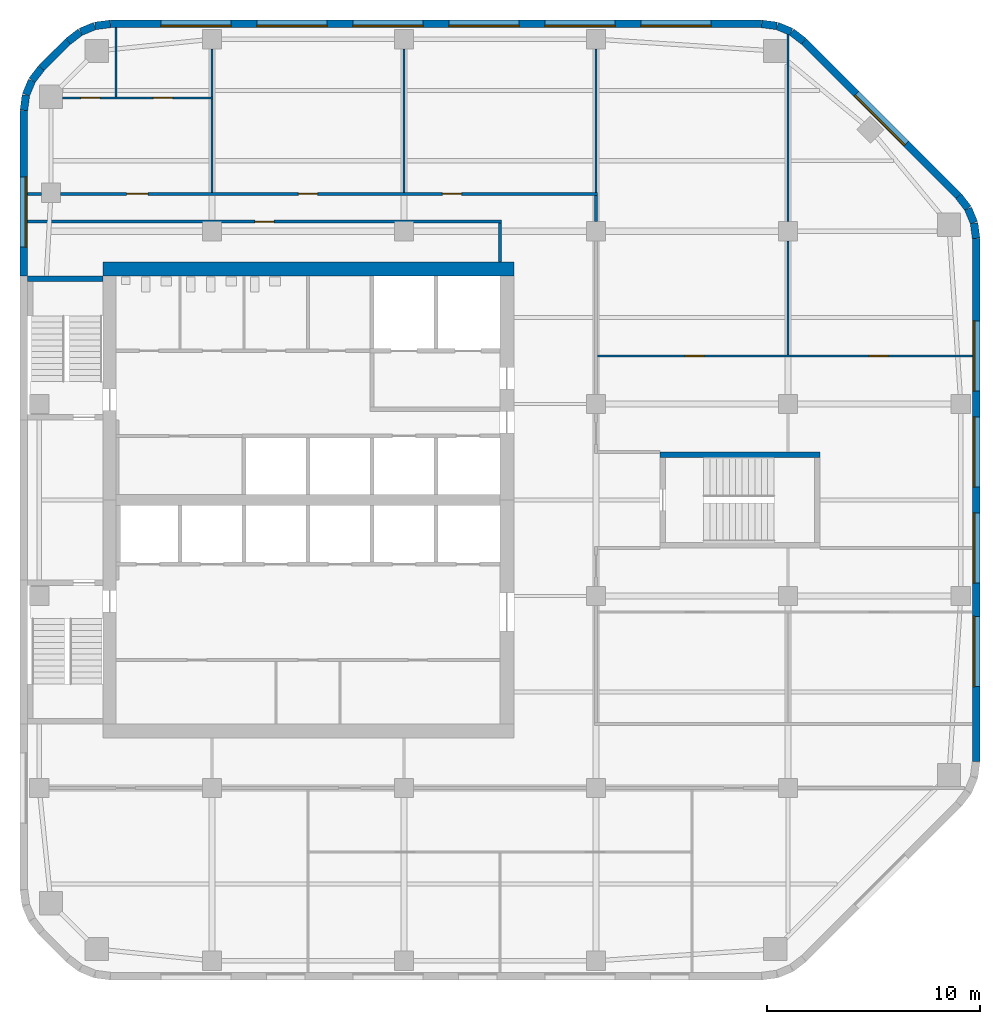
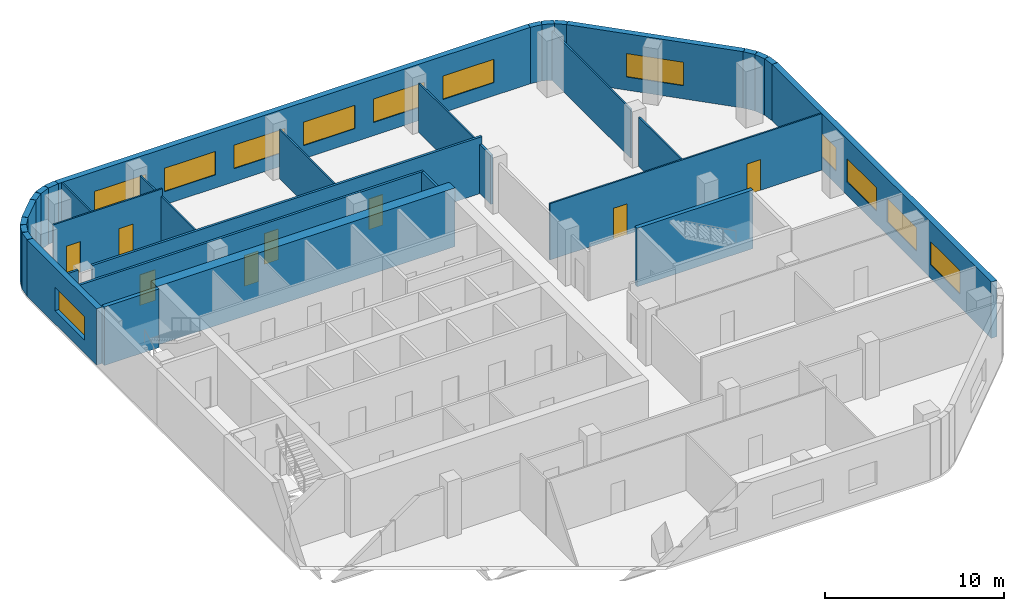
# One storey, part 5 of 8: 34 walls, 12 windows, 8 doors, 20 openings.
"""IFC4 building model written with IfcOpenShell, lengths in metres."""

from ifc_helpers import new_model, si_unit, direction, frame, frame_2d, origin, place, context, subcontext, project, spatial, rectangle, extrude, material, layer, layer_set, type_object, element, fill, save


model = new_model("IFC4")

# Units and contexts
model_context = context("Model", 3, precision=1e-05, world=origin(), true_north=direction((0.0, 1.0)))
body_context = subcontext(model_context, "Body", "Model", "MODEL_VIEW")
ifc_project = project(units=[si_unit("LENGTHUNIT", "METRE"), si_unit("AREAUNIT", "SQUARE_METRE"), si_unit("VOLUMEUNIT", "CUBIC_METRE"), si_unit("PLANEANGLEUNIT", "RADIAN"), si_unit("MASSUNIT", "GRAM", prefix="KILO")], contexts=[model_context])

# Site, building, storey
site_placement = place(None, origin())
site = spatial("IfcSite", under=ifc_project, at=site_placement, CompositionType="ELEMENT")
building_placement = place(site_placement, origin())
building = spatial("IfcBuilding", under=site, at=building_placement, Name="Cinnabar Reach Civic Tower", CompositionType="ELEMENT")
storey_placement = place(building_placement, frame((0.0, 0.0, 161.0)))
storey = spatial("IfcBuildingStorey", under=building, at=storey_placement, Name="L38", CompositionType="ELEMENT", Elevation=161.0)

# Walls
ifc_material_1 = material(Name="Facing brick with insulated backing", Category="masonry")
ifc_layer_1 = layer(ifc_material_1, 0.36)
ifc_layer_set_1 = layer_set([ifc_layer_1], Name="Brick corner wall")
wall_type_1 = type_object("IfcWallType", Name="Brick corner wall", PredefinedType="STANDARD", material=ifc_layer_set_1)
for number, where, z_axis, x_axis, name in (
    (1, (44.817, 43.7686, 0.0), (0.0, 0.0, 1.0), (-0.13055608231, 0.99144092581, 0.0), "Brick corner wall"),
    (2, (44.7181, 44.4973, 0.0), (0.0, 0.0, 1.0), (-0.382702709855, 0.923871547278, 0.0), "Brick corner wall"),
):
    element("IfcWall", number, at=place(storey_placement, frame(where, z_axis=z_axis, x_axis=x_axis)), inside=storey, type_object=wall_type_1, Name=name, PredefinedType="STANDARD", context=body_context, shape_type="SweptSolid", body=[
        extrude(rectangle(XDim=0.7131, YDim=0.36, at=frame_2d((0.3565, 0.0))), origin(), (0.0, 0.0, 1.0), 3.85),
    ])
for number, where, z_axis, x_axis, name in (
    (3, (44.434, 45.1755, 0.0), (0.0, 0.0, 1.0), (-0.608802368033, 0.793321924995, 0.0), "Brick corner wall"),
    (4, (36.7413, 52.9998, 0.0), (0.0, 0.0, 1.0), (-0.793321924995, 0.608802368033, 0.0), "Brick corner wall"),
):
    element("IfcWall", number, at=place(storey_placement, frame(where, z_axis=z_axis, x_axis=x_axis)), inside=storey, type_object=wall_type_1, Name=name, PredefinedType="STANDARD", context=body_context, shape_type="SweptSolid", body=[
        extrude(rectangle(XDim=0.7132, YDim=0.36, at=frame_2d((0.3566, 0.0))), origin(), (0.0, 0.0, 1.0), 3.85),
    ])
for number, where, z_axis, x_axis, name in (
    (5, (36.1561, 53.4452, 0.0), (0.0, 0.0, 1.0), (-0.923871547278, 0.382702709855, 0.0), "Brick corner wall"),
    (6, (35.4756, 53.7239, 0.0), (0.0, 0.0, 1.0), (-0.99144092581, 0.13055608231, 0.0), "Brick corner wall"),
    (7, (4.2314, 53.817, 0.0), (0.0, 0.0, 1.0), (-0.99144092581, -0.13055608231, 0.0), "Brick corner wall"),
    (8, (3.5027, 53.7181, 0.0), (0.0, 0.0, 1.0), (-0.923871547278, -0.382702709855, 0.0), "Brick corner wall"),
):
    element("IfcWall", number, at=place(storey_placement, frame(where, z_axis=z_axis, x_axis=x_axis)), inside=storey, type_object=wall_type_1, Name=name, PredefinedType="STANDARD", context=body_context, shape_type="SweptSolid", body=[
        extrude(rectangle(XDim=0.7131, YDim=0.36, at=frame_2d((0.3565, 0.0))), origin(), (0.0, 0.0, 1.0), 3.85),
    ])
for number, where, z_axis, x_axis, name in (
    (9, (2.8245, 53.434, 0.0), (0.0, 0.0, 1.0), (-0.793321924995, -0.608802368033, 0.0), "Brick corner wall"),
    (10, (1.0002, 51.7413, 0.0), (0.0, 0.0, 1.0), (-0.608802368033, -0.793321924995, 0.0), "Brick corner wall"),
):
    element("IfcWall", number, at=place(storey_placement, frame(where, z_axis=z_axis, x_axis=x_axis)), inside=storey, type_object=wall_type_1, Name=name, PredefinedType="STANDARD", context=body_context, shape_type="SweptSolid", body=[
        extrude(rectangle(XDim=0.7132, YDim=0.36, at=frame_2d((0.3566, 0.0))), origin(), (0.0, 0.0, 1.0), 3.85),
    ])
for number, where, z_axis, x_axis, name in (
    (11, (0.5548, 51.1561, 0.0), (0.0, 0.0, 1.0), (-0.382702709855, -0.923871547278, 0.0), "Brick corner wall"),
    (12, (0.2761, 50.4756, 0.0), (0.0, 0.0, 1.0), (-0.13055608231, -0.99144092581, 0.0), "Brick corner wall"),
):
    element("IfcWall", number, at=place(storey_placement, frame(where, z_axis=z_axis, x_axis=x_axis)), inside=storey, type_object=wall_type_1, Name=name, PredefinedType="STANDARD", context=body_context, shape_type="SweptSolid", body=[
        extrude(rectangle(XDim=0.7131, YDim=0.36, at=frame_2d((0.3565, 0.0))), origin(), (0.0, 0.0, 1.0), 3.85),
    ])

# Wall, openings, windows
ifc_layer_2 = layer(ifc_material_1, 0.36)
ifc_layer_set_2 = layer_set([ifc_layer_2], Name="Brick pier and spandrel wall")
wall_type_2 = type_object("IfcWallType", Name="Brick pier and spandrel wall", PredefinedType="STANDARD", material=ifc_layer_set_2)
wall_1_placement = place(storey_placement, frame((44.82, 19.2426, 0.0), z_axis=(0.0, 0.0, 1.0), x_axis=(0.0, 1.0, 0.0)))
wall_1 = element("IfcWall", 13, at=wall_1_placement, inside=storey, type_object=wall_type_2, Name="Brick facade wall", PredefinedType="STANDARD", context=body_context, shape_type="SweptSolid", body=[
    extrude(rectangle(XDim=24.5148, YDim=0.36, at=frame_2d((12.2574, 0.0))), origin(), (0.0, 0.0, 1.0), 3.85),
])
opening_1_placement = place(wall_1_placement, frame((3.5074, 0.0, 0.9)))
opening_1 = element("IfcOpeningElement", 14, at=opening_1_placement, cuts=wall_1, Name="Opening W1788", PredefinedType="OPENING", context=body_context, shape_type="SweptSolid", body=[
    extrude(rectangle(XDim=3.3, YDim=1.6, at=frame_2d((1.65, 0.8))), frame((0.0, 0.19, 0.0), z_axis=(0.0, -1.0, 0.0), x_axis=(1.0, 0.0, 0.0)), (0.0, 0.0, 1.0), 0.38),
])
opening_2_placement = place(wall_1_placement, frame((8.3574, 0.0, 0.9)))
opening_2 = element("IfcOpeningElement", 15, at=opening_2_placement, cuts=wall_1, Name="Opening W1789", PredefinedType="OPENING", context=body_context, shape_type="SweptSolid", body=[
    extrude(rectangle(XDim=3.3, YDim=1.6, at=frame_2d((1.65, 0.8))), frame((0.0, 0.19, 0.0), z_axis=(0.0, -1.0, 0.0), x_axis=(1.0, 0.0, 0.0)), (0.0, 0.0, 1.0), 0.38),
])
opening_3_placement = place(wall_1_placement, frame((12.8574, 0.0, 0.9)))
opening_3 = element("IfcOpeningElement", 16, at=opening_3_placement, cuts=wall_1, Name="Opening W1790", PredefinedType="OPENING", context=body_context, shape_type="SweptSolid", body=[
    extrude(rectangle(XDim=3.3, YDim=1.6, at=frame_2d((1.65, 0.8))), frame((0.0, 0.19, 0.0), z_axis=(0.0, -1.0, 0.0), x_axis=(1.0, 0.0, 0.0)), (0.0, 0.0, 1.0), 0.38),
])
opening_4_placement = place(wall_1_placement, frame((17.3574, 0.0, 0.9)))
opening_4 = element("IfcOpeningElement", 17, at=opening_4_placement, cuts=wall_1, Name="Opening W1791", PredefinedType="OPENING", context=body_context, shape_type="SweptSolid", body=[
    extrude(rectangle(XDim=3.3, YDim=1.6, at=frame_2d((1.65, 0.8))), frame((0.0, 0.19, 0.0), z_axis=(0.0, -1.0, 0.0), x_axis=(1.0, 0.0, 0.0)), (0.0, 0.0, 1.0), 0.38),
])
ifc_material_2 = material(Name="Clear double glazing in aluminium frame", Category="aluminium")
window_type = type_object("IfcWindowType", Name="Deep-set window A", PartitioningType="SINGLE_PANEL", PredefinedType="WINDOW", material=ifc_material_2)
window_1_placement = place(opening_1_placement, origin())
window_1 = element("IfcWindow", 18, at=window_1_placement, inside=storey, type_object=window_type, Name="Window east face", OverallHeight=1.6, OverallWidth=3.3, PartitioningType="SINGLE_PANEL", PredefinedType="WINDOW", context=body_context, shape_type="SweptSolid", body=[
    extrude(rectangle(XDim=3.3, YDim=1.6, at=frame_2d((1.65, 0.8))), frame((0.0, 0.13, 0.0), z_axis=(0.0, -1.0, 0.0), x_axis=(1.0, 0.0, 0.0)), (0.0, 0.0, 1.0), 0.06),
])
fill(opening_1, window_1)
window_2_placement = place(opening_2_placement, origin())
window_2 = element("IfcWindow", 19, at=window_2_placement, inside=storey, type_object=window_type, Name="Window east face", OverallHeight=1.6, OverallWidth=3.3, PartitioningType="SINGLE_PANEL", PredefinedType="WINDOW", context=body_context, shape_type="SweptSolid", body=[
    extrude(rectangle(XDim=3.3, YDim=1.6, at=frame_2d((1.65, 0.8))), frame((0.0, 0.13, 0.0), z_axis=(0.0, -1.0, 0.0), x_axis=(1.0, 0.0, 0.0)), (0.0, 0.0, 1.0), 0.06),
])
fill(opening_2, window_2)
window_3_placement = place(opening_3_placement, origin())
window_3 = element("IfcWindow", 20, at=window_3_placement, inside=storey, type_object=window_type, Name="Window east face", OverallHeight=1.6, OverallWidth=3.3, PartitioningType="SINGLE_PANEL", PredefinedType="WINDOW", context=body_context, shape_type="SweptSolid", body=[
    extrude(rectangle(XDim=3.3, YDim=1.6, at=frame_2d((1.65, 0.8))), frame((0.0, 0.13, 0.0), z_axis=(0.0, -1.0, 0.0), x_axis=(1.0, 0.0, 0.0)), (0.0, 0.0, 1.0), 0.06),
])
fill(opening_3, window_3)
window_4_placement = place(opening_4_placement, origin())
window_4 = element("IfcWindow", 21, at=window_4_placement, inside=storey, type_object=window_type, Name="Window east face", OverallHeight=1.6, OverallWidth=3.3, PartitioningType="SINGLE_PANEL", PredefinedType="WINDOW", context=body_context, shape_type="SweptSolid", body=[
    extrude(rectangle(XDim=3.3, YDim=1.6, at=frame_2d((1.65, 0.8))), frame((0.0, 0.13, 0.0), z_axis=(0.0, -1.0, 0.0), x_axis=(1.0, 0.0, 0.0)), (0.0, 0.0, 1.0), 0.06),
])
fill(opening_4, window_4)

# Wall, opening, window
wall_2_placement = place(storey_placement, frame((43.994, 45.7514, 0.0), z_axis=(0.0, 0.0, 1.0), x_axis=(-0.707106781187, 0.707106781187, 0.0)))
wall_2 = element("IfcWall", 22, at=wall_2_placement, inside=storey, type_object=wall_type_2, Name="Brick facade wall", PredefinedType="STANDARD", context=body_context, shape_type="SweptSolid", body=[
    extrude(rectangle(XDim=10.2426, YDim=0.36, at=frame_2d((5.1213, 0.0))), origin(), (0.0, 0.0, 1.0), 3.85),
])
opening_5_placement = place(wall_2_placement, frame((3.4713, 0.0, 0.9)))
opening_5 = element("IfcOpeningElement", 23, at=opening_5_placement, cuts=wall_2, Name="Opening W1792", PredefinedType="OPENING", context=body_context, shape_type="SweptSolid", body=[
    extrude(rectangle(XDim=3.3, YDim=1.6, at=frame_2d((1.65, 0.8))), frame((0.0, 0.19, 0.0), z_axis=(0.0, -1.0, 0.0), x_axis=(1.0, 0.0, 0.0)), (0.0, 0.0, 1.0), 0.38),
])
window_5_placement = place(opening_5_placement, origin())
window_5 = element("IfcWindow", 24, at=window_5_placement, inside=storey, type_object=window_type, Name="Window northeast face", OverallHeight=1.6, OverallWidth=3.3, PartitioningType="SINGLE_PANEL", PredefinedType="WINDOW", context=body_context, shape_type="SweptSolid", body=[
    extrude(rectangle(XDim=3.3, YDim=1.6, at=frame_2d((1.65, 0.8))), frame((0.0, 0.13, 0.0), z_axis=(0.0, -1.0, 0.0), x_axis=(1.0, 0.0, 0.0)), (0.0, 0.0, 1.0), 0.06),
])
fill(opening_5, window_5)

# Wall, openings, windows
wall_3_placement = place(storey_placement, frame((34.7574, 53.82, 0.0), z_axis=(0.0, 0.0, 1.0), x_axis=(-1.0, 0.0, 0.0)))
wall_3 = element("IfcWall", 25, at=wall_3_placement, inside=storey, type_object=wall_type_2, Name="Brick facade wall", PredefinedType="STANDARD", context=body_context, shape_type="SweptSolid", body=[
    extrude(rectangle(XDim=30.5148, YDim=0.36, at=frame_2d((15.2574, 0.0))), origin(), (0.0, 0.0, 1.0), 3.85),
])
opening_6_placement = place(wall_3_placement, frame((2.3574, 0.0, 0.9)))
opening_6 = element("IfcOpeningElement", 26, at=opening_6_placement, cuts=wall_3, Name="Opening W1793", PredefinedType="OPENING", context=body_context, shape_type="SweptSolid", body=[
    extrude(rectangle(XDim=3.3, YDim=1.6, at=frame_2d((1.65, 0.8))), frame((0.0, 0.19, 0.0), z_axis=(0.0, -1.0, 0.0), x_axis=(1.0, 0.0, 0.0)), (0.0, 0.0, 1.0), 0.38),
])
opening_7_placement = place(wall_3_placement, frame((6.8574, 0.0, 0.9)))
opening_7 = element("IfcOpeningElement", 27, at=opening_7_placement, cuts=wall_3, Name="Opening W1794", PredefinedType="OPENING", context=body_context, shape_type="SweptSolid", body=[
    extrude(rectangle(XDim=3.3, YDim=1.6, at=frame_2d((1.65, 0.8))), frame((0.0, 0.19, 0.0), z_axis=(0.0, -1.0, 0.0), x_axis=(1.0, 0.0, 0.0)), (0.0, 0.0, 1.0), 0.38),
])
opening_8_placement = place(wall_3_placement, frame((11.3574, 0.0, 0.9)))
opening_8 = element("IfcOpeningElement", 28, at=opening_8_placement, cuts=wall_3, Name="Opening W1795", PredefinedType="OPENING", context=body_context, shape_type="SweptSolid", body=[
    extrude(rectangle(XDim=3.3, YDim=1.6, at=frame_2d((1.65, 0.8))), frame((0.0, 0.19, 0.0), z_axis=(0.0, -1.0, 0.0), x_axis=(1.0, 0.0, 0.0)), (0.0, 0.0, 1.0), 0.38),
])
opening_9_placement = place(wall_3_placement, frame((15.8574, 0.0, 0.9)))
opening_9 = element("IfcOpeningElement", 29, at=opening_9_placement, cuts=wall_3, Name="Opening W1796", PredefinedType="OPENING", context=body_context, shape_type="SweptSolid", body=[
    extrude(rectangle(XDim=3.3, YDim=1.6, at=frame_2d((1.65, 0.8))), frame((0.0, 0.19, 0.0), z_axis=(0.0, -1.0, 0.0), x_axis=(1.0, 0.0, 0.0)), (0.0, 0.0, 1.0), 0.38),
])
opening_10_placement = place(wall_3_placement, frame((20.3574, 0.0, 0.9)))
opening_10 = element("IfcOpeningElement", 30, at=opening_10_placement, cuts=wall_3, Name="Opening W1797", PredefinedType="OPENING", context=body_context, shape_type="SweptSolid", body=[
    extrude(rectangle(XDim=3.3, YDim=1.6, at=frame_2d((1.65, 0.8))), frame((0.0, 0.19, 0.0), z_axis=(0.0, -1.0, 0.0), x_axis=(1.0, 0.0, 0.0)), (0.0, 0.0, 1.0), 0.38),
])
opening_11_placement = place(wall_3_placement, frame((24.8574, 0.0, 0.9)))
opening_11 = element("IfcOpeningElement", 31, at=opening_11_placement, cuts=wall_3, Name="Opening W1798", PredefinedType="OPENING", context=body_context, shape_type="SweptSolid", body=[
    extrude(rectangle(XDim=3.3, YDim=1.6, at=frame_2d((1.65, 0.8))), frame((0.0, 0.19, 0.0), z_axis=(0.0, -1.0, 0.0), x_axis=(1.0, 0.0, 0.0)), (0.0, 0.0, 1.0), 0.38),
])
window_6_placement = place(opening_6_placement, origin())
window_6 = element("IfcWindow", 32, at=window_6_placement, inside=storey, type_object=window_type, Name="Window north face", OverallHeight=1.6, OverallWidth=3.3, PartitioningType="SINGLE_PANEL", PredefinedType="WINDOW", context=body_context, shape_type="SweptSolid", body=[
    extrude(rectangle(XDim=3.3, YDim=1.6, at=frame_2d((1.65, 0.8))), frame((0.0, 0.13, 0.0), z_axis=(0.0, -1.0, 0.0), x_axis=(1.0, 0.0, 0.0)), (0.0, 0.0, 1.0), 0.06),
])
fill(opening_6, window_6)
window_7_placement = place(opening_7_placement, origin())
window_7 = element("IfcWindow", 33, at=window_7_placement, inside=storey, type_object=window_type, Name="Window north face", OverallHeight=1.6, OverallWidth=3.3, PartitioningType="SINGLE_PANEL", PredefinedType="WINDOW", context=body_context, shape_type="SweptSolid", body=[
    extrude(rectangle(XDim=3.3, YDim=1.6, at=frame_2d((1.65, 0.8))), frame((0.0, 0.13, 0.0), z_axis=(0.0, -1.0, 0.0), x_axis=(1.0, 0.0, 0.0)), (0.0, 0.0, 1.0), 0.06),
])
fill(opening_7, window_7)
window_8_placement = place(opening_8_placement, origin())
window_8 = element("IfcWindow", 34, at=window_8_placement, inside=storey, type_object=window_type, Name="Window north face", OverallHeight=1.6, OverallWidth=3.3, PartitioningType="SINGLE_PANEL", PredefinedType="WINDOW", context=body_context, shape_type="SweptSolid", body=[
    extrude(rectangle(XDim=3.3, YDim=1.6, at=frame_2d((1.65, 0.8))), frame((0.0, 0.13, 0.0), z_axis=(0.0, -1.0, 0.0), x_axis=(1.0, 0.0, 0.0)), (0.0, 0.0, 1.0), 0.06),
])
fill(opening_8, window_8)
window_9_placement = place(opening_9_placement, origin())
window_9 = element("IfcWindow", 35, at=window_9_placement, inside=storey, type_object=window_type, Name="Window north face", OverallHeight=1.6, OverallWidth=3.3, PartitioningType="SINGLE_PANEL", PredefinedType="WINDOW", context=body_context, shape_type="SweptSolid", body=[
    extrude(rectangle(XDim=3.3, YDim=1.6, at=frame_2d((1.65, 0.8))), frame((0.0, 0.13, 0.0), z_axis=(0.0, -1.0, 0.0), x_axis=(1.0, 0.0, 0.0)), (0.0, 0.0, 1.0), 0.06),
])
fill(opening_9, window_9)
window_10_placement = place(opening_10_placement, origin())
window_10 = element("IfcWindow", 36, at=window_10_placement, inside=storey, type_object=window_type, Name="Window north face", OverallHeight=1.6, OverallWidth=3.3, PartitioningType="SINGLE_PANEL", PredefinedType="WINDOW", context=body_context, shape_type="SweptSolid", body=[
    extrude(rectangle(XDim=3.3, YDim=1.6, at=frame_2d((1.65, 0.8))), frame((0.0, 0.13, 0.0), z_axis=(0.0, -1.0, 0.0), x_axis=(1.0, 0.0, 0.0)), (0.0, 0.0, 1.0), 0.06),
])
fill(opening_10, window_10)
window_11_placement = place(opening_11_placement, origin())
window_11 = element("IfcWindow", 37, at=window_11_placement, inside=storey, type_object=window_type, Name="Window north face", OverallHeight=1.6, OverallWidth=3.3, PartitioningType="SINGLE_PANEL", PredefinedType="WINDOW", context=body_context, shape_type="SweptSolid", body=[
    extrude(rectangle(XDim=3.3, YDim=1.6, at=frame_2d((1.65, 0.8))), frame((0.0, 0.13, 0.0), z_axis=(0.0, -1.0, 0.0), x_axis=(1.0, 0.0, 0.0)), (0.0, 0.0, 1.0), 0.06),
])
fill(opening_11, window_11)

# Wall
wall_4_placement = place(storey_placement, frame((2.2486, 52.994, 0.0), z_axis=(0.0, 0.0, 1.0), x_axis=(-0.707106781187, -0.707106781187, 0.0)))
element("IfcWall", 38, at=wall_4_placement, inside=storey, type_object=wall_type_2, Name="Brick facade wall", PredefinedType="STANDARD", context=body_context, shape_type="SweptSolid", body=[
    extrude(rectangle(XDim=1.7573, YDim=0.36, at=frame_2d((0.8787, 0.0))), origin(), (0.0, 0.0, 1.0), 3.85),
])

# Wall, opening, window
wall_5_placement = place(storey_placement, frame((0.18, 49.7574, 0.0), z_axis=(0.0, 0.0, 1.0), x_axis=(0.0, -1.0, 0.0)))
wall_5 = element("IfcWall", 39, at=wall_5_placement, inside=storey, type_object=wall_type_2, Name="Brick facade wall", PredefinedType="STANDARD", context=body_context, shape_type="SweptSolid", body=[
    extrude(rectangle(XDim=7.7574, YDim=0.36, at=frame_2d((3.8787, 0.0))), origin(), (0.0, 0.0, 1.0), 3.85),
])
opening_12_placement = place(wall_5_placement, frame((3.1074, 0.0, 0.9)))
opening_12 = element("IfcOpeningElement", 40, at=opening_12_placement, cuts=wall_5, Name="Opening W1799", PredefinedType="OPENING", context=body_context, shape_type="SweptSolid", body=[
    extrude(rectangle(XDim=3.3, YDim=1.6, at=frame_2d((1.65, 0.8))), frame((0.0, 0.19, 0.0), z_axis=(0.0, -1.0, 0.0), x_axis=(1.0, 0.0, 0.0)), (0.0, 0.0, 1.0), 0.38),
])
window_12_placement = place(opening_12_placement, origin())
window_12 = element("IfcWindow", 41, at=window_12_placement, inside=storey, type_object=window_type, Name="Window west face", OverallHeight=1.6, OverallWidth=3.3, PartitioningType="SINGLE_PANEL", PredefinedType="WINDOW", context=body_context, shape_type="SweptSolid", body=[
    extrude(rectangle(XDim=3.3, YDim=1.6, at=frame_2d((1.65, 0.8))), frame((0.0, 0.13, 0.0), z_axis=(0.0, -1.0, 0.0), x_axis=(1.0, 0.0, 0.0)), (0.0, 0.0, 1.0), 0.06),
])
fill(opening_12, window_12)

# Wall
ifc_material_3 = material(Name="Concrete C70", Category="concrete")
ifc_layer_3 = layer(ifc_material_3, 0.65)
ifc_layer_set_3 = layer_set([ifc_layer_3], Name="Core wall 650 EI 180")
wall_type_3 = type_object("IfcWallType", Name="Core wall 650 EI 180", PredefinedType="SOLIDWALL", material=ifc_layer_set_3)
wall_6_placement = place(storey_placement, frame((23.15, 42.325, 0.0), z_axis=(0.0, 0.0, 1.0), x_axis=(-1.0, 0.0, 0.0)))
element("IfcWall", 42, at=wall_6_placement, inside=storey, type_object=wall_type_3, Name="Core wall T1 L38 N", PredefinedType="SOLIDWALL", context=body_context, shape_type="SweptSolid", body=[
    extrude(rectangle(XDim=19.25, YDim=0.65, at=frame_2d((9.625, 0.0))), origin(), (0.0, 0.0, 1.0), 4.0),
])

# Wall, openings, doors
ifc_material_4 = material(Name="Gypsum board on steel studs, double layer", Category="steel")
ifc_layer_4 = layer(ifc_material_4, 0.15)
ifc_layer_set_4 = layer_set([ifc_layer_4], Name="Corridor wall 150 T1")
wall_type_4 = type_object("IfcWallType", Name="Corridor wall 150 T1", PredefinedType="PARTITIONING", material=ifc_layer_set_4)
wall_7_placement = place(storey_placement, frame((1.9031, 45.85, 0.0), z_axis=(0.0, 0.0, 1.0), x_axis=(1.0, 0.0, 0.0)))
wall_7 = element("IfcWall", 43, at=wall_7_placement, inside=storey, type_object=wall_type_4, Name="Corridor wall 23", PredefinedType="PARTITIONING", context=body_context, shape_type="SweptSolid", body=[
    extrude(rectangle(XDim=25.1719, YDim=0.15, at=frame_2d((12.586, 0.0))), origin(), (0.0, 0.0, 1.0), 3.85),
])
opening_13_placement = place(wall_7_placement, frame((3.1, 0.0, 0.0)))
opening_13 = element("IfcOpeningElement", 44, at=opening_13_placement, cuts=wall_7, Name="Opening D4579", PredefinedType="OPENING", context=body_context, shape_type="SweptSolid", body=[
    extrude(rectangle(XDim=1.0, YDim=2.1, at=frame_2d((0.5, 1.05))), frame((0.0, 0.085, 0.0), z_axis=(0.0, -1.0, 0.0), x_axis=(1.0, 0.0, 0.0)), (0.0, 0.0, 1.0), 0.17),
])
opening_14_placement = place(wall_7_placement, frame((11.1469, 0.0, 0.0)))
opening_14 = element("IfcOpeningElement", 45, at=opening_14_placement, cuts=wall_7, Name="Opening D4582", PredefinedType="OPENING", context=body_context, shape_type="SweptSolid", body=[
    extrude(rectangle(XDim=0.9, YDim=2.1, at=frame_2d((0.45, 1.05))), frame((0.0, 0.085, 0.0), z_axis=(0.0, -1.0, 0.0), x_axis=(1.0, 0.0, 0.0)), (0.0, 0.0, 1.0), 0.17),
])
opening_15_placement = place(wall_7_placement, frame((17.8969, 0.0, 0.0)))
opening_15 = element("IfcOpeningElement", 46, at=opening_15_placement, cuts=wall_7, Name="Opening D4583", PredefinedType="OPENING", context=body_context, shape_type="SweptSolid", body=[
    extrude(rectangle(XDim=0.9, YDim=2.1, at=frame_2d((0.45, 1.05))), frame((0.0, 0.085, 0.0), z_axis=(0.0, -1.0, 0.0), x_axis=(1.0, 0.0, 0.0)), (0.0, 0.0, 1.0), 0.17),
])
ifc_material_5 = material(Name="Timber door leaf in steel frame", Category="steel")
door_type_1 = type_object("IfcDoorType", Name="Single swing door 900 x 2100 corridor T1", OperationType="SINGLE_SWING_LEFT", PredefinedType="DOOR", material=ifc_material_5)
door_1_placement = place(opening_14_placement, origin())
door_1 = element("IfcDoor", 47, at=door_1_placement, inside=storey, type_object=door_type_1, Name="Door D4582", OperationType="SINGLE_SWING_RIGHT", OverallHeight=2.1, OverallWidth=0.9, PredefinedType="DOOR", context=body_context, shape_type="SweptSolid", body=[
    extrude(rectangle(XDim=0.9, YDim=2.1, at=frame_2d((0.45, 1.05))), frame((0.0, 0.025, 0.0), z_axis=(0.0, -1.0, 0.0), x_axis=(1.0, 0.0, 0.0)), (0.0, 0.0, 1.0), 0.05),
])
fill(opening_14, door_1)
door_2_placement = place(opening_15_placement, origin())
door_2 = element("IfcDoor", 48, at=door_2_placement, inside=storey, type_object=door_type_1, Name="Door D4583", OperationType="SINGLE_SWING_LEFT", OverallHeight=2.1, OverallWidth=0.9, PredefinedType="DOOR", context=body_context, shape_type="SweptSolid", body=[
    extrude(rectangle(XDim=0.9, YDim=2.1, at=frame_2d((0.45, 1.05))), frame((0.0, 0.025, 0.0), z_axis=(0.0, -1.0, 0.0), x_axis=(1.0, 0.0, 0.0)), (0.0, 0.0, 1.0), 0.05),
])
fill(opening_15, door_2)
door_type_2 = type_object("IfcDoorType", Name="Tenancy entrance door 1000 x 2100 T1", OperationType="SINGLE_SWING_LEFT", PredefinedType="DOOR", material=ifc_material_5)
door_3_placement = place(opening_13_placement, origin())
door_3 = element("IfcDoor", 49, at=door_3_placement, inside=storey, type_object=door_type_2, Name="Door D4579", OperationType="SINGLE_SWING_LEFT", OverallHeight=2.1, OverallWidth=1.0, PredefinedType="DOOR", context=body_context, shape_type="SweptSolid", body=[
    extrude(rectangle(XDim=1.0, YDim=2.1, at=frame_2d((0.5, 1.05))), frame((0.0, 0.025, 0.0), z_axis=(0.0, -1.0, 0.0), x_axis=(1.0, 0.0, 0.0)), (0.0, 0.0, 1.0), 0.05),
])
fill(opening_13, door_3)

# Wall
wall_8_placement = place(storey_placement, frame((0.36, 45.85, 0.0), z_axis=(0.0, 0.0, 1.0), x_axis=(1.0, 0.0, 0.0)))
element("IfcWall", 50, at=wall_8_placement, inside=storey, type_object=wall_type_4, Name="Corridor wall 24", PredefinedType="PARTITIONING", context=body_context, shape_type="SweptSolid", body=[
    extrude(rectangle(XDim=0.6431, YDim=0.15, at=frame_2d((0.3216, 0.0))), origin(), (0.0, 0.0, 1.0), 3.85),
])

# Wall, opening, door
wall_9_placement = place(storey_placement, frame((0.36, 44.55, 0.0), z_axis=(0.0, 0.0, 1.0), x_axis=(1.0, 0.0, 0.0)))
wall_9 = element("IfcWall", 51, at=wall_9_placement, inside=storey, type_object=wall_type_4, Name="Corridor wall 25", PredefinedType="PARTITIONING", context=body_context, shape_type="SweptSolid", body=[
    extrude(rectangle(XDim=22.215, YDim=0.15, at=frame_2d((11.1075, 0.0))), origin(), (0.0, 0.0, 1.0), 3.85),
])
opening_16_placement = place(wall_9_placement, frame((10.65, 0.0, 0.0)))
opening_16 = element("IfcOpeningElement", 52, at=opening_16_placement, cuts=wall_9, Name="Opening D5795", PredefinedType="OPENING", context=body_context, shape_type="SweptSolid", body=[
    extrude(rectangle(XDim=0.9, YDim=2.1, at=frame_2d((0.45, 1.05))), frame((0.0, 0.085, 0.0), z_axis=(0.0, -1.0, 0.0), x_axis=(1.0, 0.0, 0.0)), (0.0, 0.0, 1.0), 0.17),
])
door_4_placement = place(opening_16_placement, frame((0.9, 0.0, 0.0), z_axis=(0.0, 0.0, 1.0), x_axis=(-1.0, 0.0, 0.0)))
door_4 = element("IfcDoor", 53, at=door_4_placement, inside=storey, type_object=door_type_1, Name="Door D5795", OperationType="SINGLE_SWING_RIGHT", OverallHeight=2.1, OverallWidth=0.9, PredefinedType="DOOR", context=body_context, shape_type="SweptSolid", body=[
    extrude(rectangle(XDim=0.9, YDim=2.1, at=frame_2d((0.45, 1.05))), frame((0.0, 0.025, 0.0), z_axis=(0.0, -1.0, 0.0), x_axis=(1.0, 0.0, 0.0)), (0.0, 0.0, 1.0), 0.05),
])
fill(opening_16, door_4)

# Walls
wall_10_placement = place(storey_placement, frame((27.0, 44.55, 0.0), z_axis=(0.0, 0.0, 1.0), x_axis=(0.0, 1.0, 0.0)))
element("IfcWall", 54, at=wall_10_placement, inside=storey, type_object=wall_type_4, Name="Corridor wall 30", PredefinedType="PARTITIONING", context=body_context, shape_type="SweptSolid", body=[
    extrude(rectangle(XDim=1.225, YDim=0.15, at=frame_2d((0.6125, 0.0))), origin(), (0.0, 0.0, 1.0), 3.362),
])
wall_11_placement = place(storey_placement, frame((22.5, 42.65, 0.0), z_axis=(0.0, 0.0, 1.0), x_axis=(0.0, 1.0, 0.0)))
element("IfcWall", 55, at=wall_11_placement, inside=storey, type_object=wall_type_4, Name="Corridor wall 39", PredefinedType="PARTITIONING", context=body_context, shape_type="SweptSolid", body=[
    extrude(rectangle(XDim=1.825, YDim=0.15, at=frame_2d((0.9125, 0.0))), origin(), (0.0, 0.0, 1.0), 3.85),
])

# Wall, openings, doors
ifc_material_6 = material(Name="Gypsum board on steel studs", Category="steel")
ifc_layer_5 = layer(ifc_material_6, 0.1)
ifc_layer_set_5 = layer_set([ifc_layer_5], Name="Partition wall 100 T1")
wall_type_5 = type_object("IfcWallType", Name="Partition wall 100 T1", PredefinedType="PARTITIONING", material=ifc_layer_set_5)
wall_12_placement = place(storey_placement, frame((27.075, 38.25, 0.0), z_axis=(0.0, 0.0, 1.0), x_axis=(1.0, 0.0, 0.0)))
wall_12 = element("IfcWall", 56, at=wall_12_placement, inside=storey, type_object=wall_type_5, Name="Partition wall 45", PredefinedType="PARTITIONING", context=body_context, shape_type="SweptSolid", body=[
    extrude(rectangle(XDim=17.565, YDim=0.1, at=frame_2d((8.7825, 0.0))), origin(), (0.0, 0.0, 1.0), 3.85),
])
opening_17_placement = place(wall_12_placement, frame((4.1, 0.0, 0.0)))
opening_17 = element("IfcOpeningElement", 57, at=opening_17_placement, cuts=wall_12, Name="Opening D4569", PredefinedType="OPENING", context=body_context, shape_type="SweptSolid", body=[
    extrude(rectangle(XDim=0.9, YDim=2.1, at=frame_2d((0.45, 1.05))), frame((0.0, 0.06, 0.0), z_axis=(0.0, -1.0, 0.0), x_axis=(1.0, 0.0, 0.0)), (0.0, 0.0, 1.0), 0.12),
])
opening_18_placement = place(wall_12_placement, frame((12.725, 0.0, 0.0)))
opening_18 = element("IfcOpeningElement", 58, at=opening_18_placement, cuts=wall_12, Name="Opening D4570", PredefinedType="OPENING", context=body_context, shape_type="SweptSolid", body=[
    extrude(rectangle(XDim=0.9, YDim=2.1, at=frame_2d((0.45, 1.05))), frame((0.0, 0.06, 0.0), z_axis=(0.0, -1.0, 0.0), x_axis=(1.0, 0.0, 0.0)), (0.0, 0.0, 1.0), 0.12),
])
door_type_3 = type_object("IfcDoorType", Name="Single swing door 900 x 2100 T1", OperationType="SINGLE_SWING_LEFT", PredefinedType="DOOR", material=ifc_material_5)
door_5_placement = place(opening_17_placement, frame((0.9, 0.0, 0.0), z_axis=(0.0, 0.0, 1.0), x_axis=(-1.0, 0.0, 0.0)))
door_5 = element("IfcDoor", 59, at=door_5_placement, inside=storey, type_object=door_type_3, Name="Door D4569", OperationType="SINGLE_SWING_RIGHT", OverallHeight=2.1, OverallWidth=0.9, PredefinedType="DOOR", context=body_context, shape_type="SweptSolid", body=[
    extrude(rectangle(XDim=0.9, YDim=2.1, at=frame_2d((0.45, 1.05))), frame((0.0, 0.025, 0.0), z_axis=(0.0, -1.0, 0.0), x_axis=(1.0, 0.0, 0.0)), (0.0, 0.0, 1.0), 0.05),
])
fill(opening_17, door_5)
door_6_placement = place(opening_18_placement, origin())
door_6 = element("IfcDoor", 60, at=door_6_placement, inside=storey, type_object=door_type_3, Name="Door D4570", OperationType="SINGLE_SWING_LEFT", OverallHeight=2.1, OverallWidth=0.9, PredefinedType="DOOR", context=body_context, shape_type="SweptSolid", body=[
    extrude(rectangle(XDim=0.9, YDim=2.1, at=frame_2d((0.45, 1.05))), frame((0.0, 0.025, 0.0), z_axis=(0.0, -1.0, 0.0), x_axis=(1.0, 0.0, 0.0)), (0.0, 0.0, 1.0), 0.05),
])
fill(opening_18, door_6)

# Walls
wall_13_placement = place(storey_placement, frame((36.0, 38.3, 0.0), z_axis=(0.0, 0.0, 1.0), x_axis=(0.0, 1.0, 0.0)))
element("IfcWall", 61, at=wall_13_placement, inside=storey, type_object=wall_type_5, Name="Partition wall 46", PredefinedType="PARTITIONING", context=body_context, shape_type="SweptSolid", body=[
    extrude(rectangle(XDim=5.35, YDim=0.1, at=frame_2d((2.675, 0.0))), origin(), (0.0, 0.0, 1.0), 3.362),
])
wall_14_placement = place(storey_placement, frame((36.0, 44.55, 0.0), z_axis=(0.0, 0.0, 1.0), x_axis=(0.0, 1.0, 0.0)))
element("IfcWall", 62, at=wall_14_placement, inside=storey, type_object=wall_type_5, Name="Partition wall 47", PredefinedType="PARTITIONING", context=body_context, shape_type="SweptSolid", body=[
    extrude(rectangle(XDim=8.765, YDim=0.1, at=frame_2d((4.3825, 0.0))), origin(), (0.0, 0.0, 1.0), 3.362),
])

# Wall, openings, doors
wall_15_placement = place(storey_placement, frame((2.0031, 50.35, 0.0), z_axis=(0.0, 0.0, 1.0), x_axis=(1.0, 0.0, 0.0)))
wall_15 = element("IfcWall", 63, at=wall_15_placement, inside=storey, type_object=wall_type_5, Name="Partition wall 52", PredefinedType="PARTITIONING", context=body_context, shape_type="SweptSolid", body=[
    extrude(rectangle(XDim=7.0469, YDim=0.1, at=frame_2d((3.5234, 0.0))), origin(), (0.0, 0.0, 1.0), 3.85),
])
opening_19_placement = place(wall_15_placement, frame((0.85, 0.0, 0.0)))
opening_19 = element("IfcOpeningElement", 64, at=opening_19_placement, cuts=wall_15, Name="Opening D4580", PredefinedType="OPENING", context=body_context, shape_type="SweptSolid", body=[
    extrude(rectangle(XDim=0.9, YDim=2.1, at=frame_2d((0.45, 1.05))), frame((0.0, 0.06, 0.0), z_axis=(0.0, -1.0, 0.0), x_axis=(1.0, 0.0, 0.0)), (0.0, 0.0, 1.0), 0.12),
])
opening_20_placement = place(wall_15_placement, frame((4.2469, 0.0, 0.0)))
opening_20 = element("IfcOpeningElement", 65, at=opening_20_placement, cuts=wall_15, Name="Opening D4581", PredefinedType="OPENING", context=body_context, shape_type="SweptSolid", body=[
    extrude(rectangle(XDim=0.9, YDim=2.1, at=frame_2d((0.45, 1.05))), frame((0.0, 0.06, 0.0), z_axis=(0.0, -1.0, 0.0), x_axis=(1.0, 0.0, 0.0)), (0.0, 0.0, 1.0), 0.12),
])
door_7_placement = place(opening_19_placement, origin())
door_7 = element("IfcDoor", 66, at=door_7_placement, inside=storey, type_object=door_type_3, Name="Door D4580", OperationType="SINGLE_SWING_RIGHT", OverallHeight=2.1, OverallWidth=0.9, PredefinedType="DOOR", context=body_context, shape_type="SweptSolid", body=[
    extrude(rectangle(XDim=0.9, YDim=2.1, at=frame_2d((0.45, 1.05))), frame((0.0, 0.025, 0.0), z_axis=(0.0, -1.0, 0.0), x_axis=(1.0, 0.0, 0.0)), (0.0, 0.0, 1.0), 0.05),
])
fill(opening_19, door_7)
door_8_placement = place(opening_20_placement, origin())
door_8 = element("IfcDoor", 67, at=door_8_placement, inside=storey, type_object=door_type_3, Name="Door D4581", OperationType="SINGLE_SWING_LEFT", OverallHeight=2.1, OverallWidth=0.9, PredefinedType="DOOR", context=body_context, shape_type="SweptSolid", body=[
    extrude(rectangle(XDim=0.9, YDim=2.1, at=frame_2d((0.45, 1.05))), frame((0.0, 0.025, 0.0), z_axis=(0.0, -1.0, 0.0), x_axis=(1.0, 0.0, 0.0)), (0.0, 0.0, 1.0), 0.05),
])
fill(opening_20, door_8)

# Walls
wall_16_placement = place(storey_placement, frame((9.0, 45.925, 0.0), z_axis=(0.0, 0.0, 1.0), x_axis=(0.0, 1.0, 0.0)))
element("IfcWall", 68, at=wall_16_placement, inside=storey, type_object=wall_type_5, Name="Partition wall 53", PredefinedType="PARTITIONING", context=body_context, shape_type="SweptSolid", body=[
    extrude(rectangle(XDim=4.375, YDim=0.1, at=frame_2d((2.1875, 0.0))), origin(), (0.0, 0.0, 1.0), 3.362),
])
wall_17_placement = place(storey_placement, frame((9.0, 50.4, 0.0), z_axis=(0.0, 0.0, 1.0), x_axis=(0.0, 1.0, 0.0)))
element("IfcWall", 69, at=wall_17_placement, inside=storey, type_object=wall_type_5, Name="Partition wall 54", PredefinedType="PARTITIONING", context=body_context, shape_type="SweptSolid", body=[
    extrude(rectangle(XDim=2.25, YDim=0.1, at=frame_2d((1.125, 0.0))), origin(), (0.0, 0.0, 1.0), 3.362),
])
for number, where, z_axis, x_axis, name in (
    (70, (18.0, 45.925, 0.0), (0.0, 0.0, 1.0), (0.0, 1.0, 0.0), "Partition wall 55"),
    (71, (27.0, 45.925, 0.0), (0.0, 0.0, 1.0), (0.0, 1.0, 0.0), "Partition wall 56"),
):
    element("IfcWall", number, at=place(storey_placement, frame(where, z_axis=z_axis, x_axis=x_axis)), inside=storey, type_object=wall_type_5, Name=name, PredefinedType="PARTITIONING", context=body_context, shape_type="SweptSolid", body=[
        extrude(rectangle(XDim=6.725, YDim=0.1, at=frame_2d((3.3625, 0.0))), origin(), (0.0, 0.0, 1.0), 3.362),
    ])
wall_18_placement = place(storey_placement, frame((4.5, 50.4, 0.0), z_axis=(0.0, 0.0, 1.0), x_axis=(0.0, 1.0, 0.0)))
element("IfcWall", 72, at=wall_18_placement, inside=storey, type_object=wall_type_5, Name="Partition wall 61", PredefinedType="PARTITIONING", context=body_context, shape_type="SweptSolid", body=[
    extrude(rectangle(XDim=3.24, YDim=0.1, at=frame_2d((1.62, 0.0))), origin(), (0.0, 0.0, 1.0), 3.85),
])
ifc_material_7 = material(Name="Concrete C60", Category="concrete")
ifc_layer_6 = layer(ifc_material_7, 0.25)
ifc_layer_set_6 = layer_set([ifc_layer_6], Name="Stair shaft wall 250 EI 120")
wall_type_6 = type_object("IfcWallType", Name="Stair shaft wall 250 EI 120", PredefinedType="SOLIDWALL", material=ifc_layer_set_6)
wall_19_placement = place(storey_placement, frame((3.9, 41.875, 0.0), z_axis=(0.0, 0.0, 1.0), x_axis=(-1.0, 0.0, 0.0)))
element("IfcWall", 73, at=wall_19_placement, inside=storey, type_object=wall_type_6, Name="Stair shaft wall T1-S2 L38", PredefinedType="SOLIDWALL", context=body_context, shape_type="SweptSolid", body=[
    extrude(rectangle(XDim=3.54, YDim=0.25, at=frame_2d((1.77, 0.0))), origin(), (0.0, 0.0, 1.0), 4.0),
])
wall_20_placement = place(storey_placement, frame((37.5, 33.625, 0.0), z_axis=(0.0, 0.0, 1.0), x_axis=(-1.0, 0.0, 0.0)))
element("IfcWall", 74, at=wall_20_placement, inside=storey, type_object=wall_type_6, Name="Stair shaft wall T1-S3 L38", PredefinedType="SOLIDWALL", context=body_context, shape_type="SweptSolid", body=[
    extrude(rectangle(XDim=7.5, YDim=0.25, at=frame_2d((3.75, 0.0))), origin(), (0.0, 0.0, 1.0), 4.0),
])

save(model, "model.ifc")
